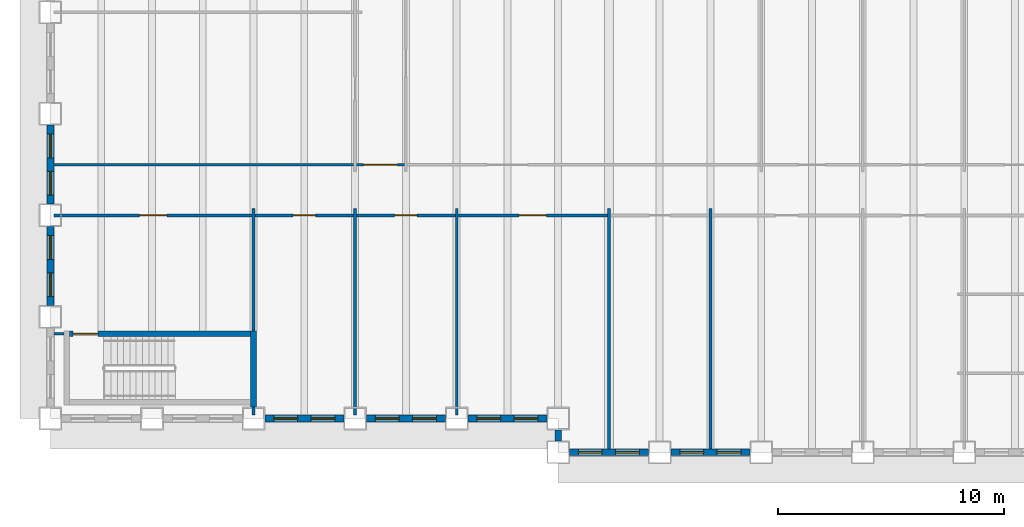
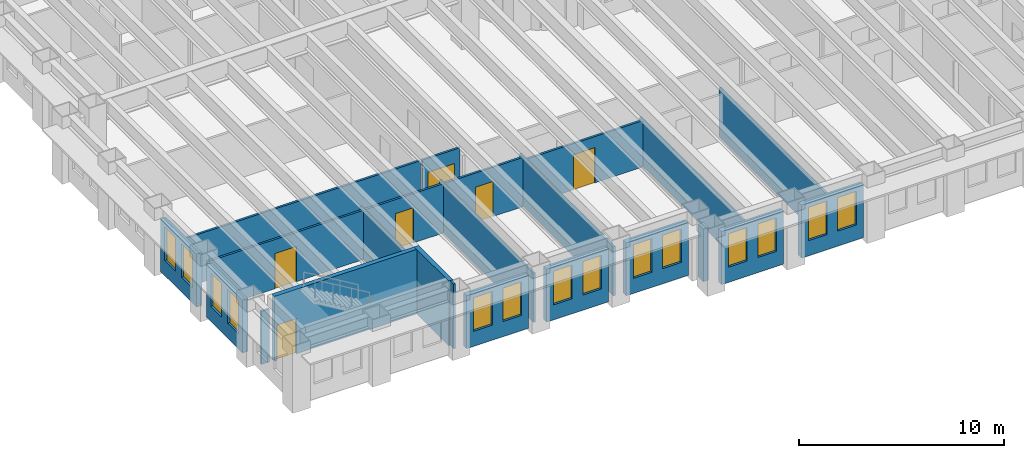
# One storey, part 3 of 16: 23 walls, 14 windows, 6 doors, 20 openings.
"""IFC4 building model written with IfcOpenShell, lengths in metres."""

from ifc_helpers import new_model, si_unit, direction, frame, frame_2d, origin, place, context, subcontext, project, spatial, rectangle, extrude, material, layer, layer_set, type_object, element, fill, save


model = new_model("IFC4")

# Units and contexts
model_context = context("Model", 3, precision=1e-05, world=origin(), true_north=direction((0.0, 1.0)))
body_context = subcontext(model_context, "Body", "Model", "MODEL_VIEW")
ifc_project = project(units=[si_unit("LENGTHUNIT", "METRE"), si_unit("AREAUNIT", "SQUARE_METRE"), si_unit("VOLUMEUNIT", "CUBIC_METRE"), si_unit("PLANEANGLEUNIT", "RADIAN"), si_unit("MASSUNIT", "GRAM", prefix="KILO")], contexts=[model_context])

# Site, building, storey
site_placement = place(None, origin())
site = spatial("IfcSite", under=ifc_project, at=site_placement, CompositionType="ELEMENT")
building_placement = place(site_placement, origin())
building = spatial("IfcBuilding", under=site, at=building_placement, Name="Sennacour Bend Tower", CompositionType="ELEMENT")
storey_placement = place(building_placement, frame((0.0, 0.0, 115.0)))
storey = spatial("IfcBuildingStorey", under=building, at=storey_placement, Name="L26", CompositionType="ELEMENT", Elevation=115.0)

# Walls
ifc_material_1 = material(Name="Plasterboard partition on steel studs", Category="steel")
ifc_layer_1 = layer(ifc_material_1, 0.1201171875, Name="Plasterboard partition on steel studs", Category="steel")
ifc_layer_set_1 = layer_set([ifc_layer_1], Name="Plasterboard partition on steel studs")
wall_type_1 = type_object("IfcWallType", Name="Partition 120", PredefinedType="PARTITIONING", material=ifc_layer_set_1)
wall_1_placement = place(storey_placement, frame((9.0, 0.14990234375, 0.0), z_axis=(0.0, 0.0, 1.0), x_axis=(0.0, 1.0, 0.0)))
element("IfcWall", 1, at=wall_1_placement, inside=storey, type_object=wall_type_1, Name="P-L26-W008a", PredefinedType="PARTITIONING", context=body_context, shape_type="SweptSolid", body=[
    extrude(rectangle(XDim=0.35009765625, YDim=0.1201171875, at=frame_2d((0.175048828125, 0.0))), origin(), (0.0, 0.0, 1.0), 3.85009765625),
])
wall_2_placement = place(storey_placement, frame((9.0, 3.875, 0.0), z_axis=(0.0, 0.0, 1.0), x_axis=(0.0, 1.0, 0.0)))
element("IfcWall", 2, at=wall_2_placement, inside=storey, type_object=wall_type_1, Name="P-L26-W010a", PredefinedType="PARTITIONING", context=body_context, shape_type="SweptSolid", body=[
    extrude(rectangle(XDim=5.425048828125, YDim=0.1201171875, at=frame_2d((2.71240234375, 0.0))), origin(), (0.0, 0.0, 1.0), 2.93798828125),
])
for number, where, z_axis, x_axis, name in (
    (3, (13.5, 0.14990234375, 0.0), (0.0, 0.0, 1.0), (0.0, 1.0, 0.0), "P-L26-W014a"),
    (4, (18.0, 0.14990234375, 0.0), (0.0, 0.0, 1.0), (0.0, 1.0, 0.0), "P-L26-W020a"),
):
    element("IfcWall", number, at=place(storey_placement, frame(where, z_axis=z_axis, x_axis=x_axis)), inside=storey, type_object=wall_type_1, Name=name, PredefinedType="PARTITIONING", context=body_context, shape_type="SweptSolid", body=[
        extrude(rectangle(XDim=9.150146484375, YDim=0.1201171875, at=frame_2d((4.5751953125, 0.0))), origin(), (0.0, 0.0, 1.0), 2.93798828125),
    ])
wall_3_placement = place(storey_placement, frame((24.75, -1.35009765625, 0.0), z_axis=(0.0, 0.0, 1.0), x_axis=(0.0, 1.0, 0.0)))
element("IfcWall", 5, at=wall_3_placement, inside=storey, type_object=wall_type_1, Name="P-L26-W026a", PredefinedType="PARTITIONING", context=body_context, shape_type="SweptSolid", body=[
    extrude(rectangle(XDim=10.650146484375, YDim=0.1201171875, at=frame_2d((5.3251953125, 0.0))), origin(), (0.0, 0.0, 1.0), 2.760009765625),
])
wall_4_placement = place(storey_placement, frame((29.25, -1.35009765625, 0.0), z_axis=(0.0, 0.0, 1.0), x_axis=(0.0, 1.0, 0.0)))
element("IfcWall", 6, at=wall_4_placement, inside=storey, type_object=wall_type_1, Name="P-L26-W027a", PredefinedType="PARTITIONING", context=body_context, shape_type="SweptSolid", body=[
    extrude(rectangle(XDim=10.650146484375, YDim=0.1201171875, at=frame_2d((5.3251953125, 0.0))), origin(), (0.0, 0.0, 1.0), 2.93798828125),
])
wall_5_placement = place(storey_placement, frame((0.14990234375, 3.75, 0.0), z_axis=(0.0, 0.0, 1.0), x_axis=(1.0, 0.0, 0.0)))
element("IfcWall", 7, at=wall_5_placement, inside=storey, type_object=wall_type_1, Name="P-L26-W049a", PredefinedType="PARTITIONING", context=body_context, shape_type="SweptSolid", body=[
    extrude(rectangle(XDim=0.4501953125, YDim=0.1201171875, at=frame_2d((0.22509765625, 0.0))), origin(), (0.0, 0.0, 1.0), 3.154052734375),
])

# Wall, opening, door
wall_6_placement = place(storey_placement, frame((9.06005859375, 9.0, 0.0), z_axis=(0.0, 0.0, 1.0), x_axis=(1.0, 0.0, 0.0)))
wall_6 = element("IfcWall", 8, at=wall_6_placement, inside=storey, type_object=wall_type_1, Name="P-L26-W055ab", PredefinedType="PARTITIONING", context=body_context, shape_type="SweptSolid", body=[
    extrude(rectangle(XDim=4.3798828125, YDim=0.1201171875, at=frame_2d((2.18994140625, 0.0))), origin(), (0.0, 0.0, 1.0), 2.93798828125),
])
opening_1_placement = place(wall_6_placement, frame((1.68994140625, 0.0, 0.0)))
opening_1 = element("IfcOpeningElement", 9, at=opening_1_placement, cuts=wall_6, Name="Opening OD2", PredefinedType="OPENING", context=body_context, shape_type="SweptSolid", body=[
    extrude(rectangle(XDim=1.0, YDim=2.10009765625, at=frame_2d((0.5, 1.050048828125))), frame((0.0, 0.070068359375, 0.0), z_axis=(0.0, -1.0, 0.0), x_axis=(1.0, 0.0, 0.0)), (0.0, 0.0, 1.0), 0.14013671875),
])
ifc_material_2 = material(Name="Timber", Category="wood")
door_type_1 = type_object("IfcDoorType", Name="DR-OFFICE-1000", OperationType="NOTDEFINED", PredefinedType="DOOR", material=ifc_material_2)
door_1_placement = place(opening_1_placement, origin())
door_1 = element("IfcDoor", 10, at=door_1_placement, inside=storey, type_object=door_type_1, Name="Door", OperationType="SINGLE_SWING_LEFT", OverallHeight=2.10009765625, OverallWidth=1.0, PredefinedType="DOOR", context=body_context, shape_type="SweptSolid", body=[
    extrude(rectangle(XDim=1.0, YDim=2.10009765625, at=frame_2d((0.5, 1.050048828125))), frame((0.0, 0.02490234375, 0.0), z_axis=(0.0, -1.0, 0.0), x_axis=(1.0, 0.0, 0.0)), (0.0, 0.0, 1.0), 0.050048828125),
])
fill(opening_1, door_1)

wall_7_placement = place(storey_placement, frame((13.56005859375, 9.0, 0.0), z_axis=(0.0, 0.0, 1.0), x_axis=(1.0, 0.0, 0.0)))
wall_7 = element("IfcWall", 11, at=wall_7_placement, inside=storey, type_object=wall_type_1, Name="P-L26-W055ac", PredefinedType="PARTITIONING", context=body_context, shape_type="SweptSolid", body=[
    extrude(rectangle(XDim=4.3798828125, YDim=0.1201171875, at=frame_2d((2.18994140625, 0.0))), origin(), (0.0, 0.0, 1.0), 2.93798828125),
])
opening_2_placement = place(wall_7_placement, frame((1.68994140625, 0.0, 0.0)))
opening_2 = element("IfcOpeningElement", 12, at=opening_2_placement, cuts=wall_7, Name="Opening OD2", PredefinedType="OPENING", context=body_context, shape_type="SweptSolid", body=[
    extrude(rectangle(XDim=1.0, YDim=2.10009765625, at=frame_2d((0.5, 1.050048828125))), frame((0.0, 0.070068359375, 0.0), z_axis=(0.0, -1.0, 0.0), x_axis=(1.0, 0.0, 0.0)), (0.0, 0.0, 1.0), 0.14013671875),
])
door_2_placement = place(opening_2_placement, origin())
door_2 = element("IfcDoor", 13, at=door_2_placement, inside=storey, type_object=door_type_1, Name="Door", OperationType="SINGLE_SWING_LEFT", OverallHeight=2.10009765625, OverallWidth=1.0, PredefinedType="DOOR", context=body_context, shape_type="SweptSolid", body=[
    extrude(rectangle(XDim=1.0, YDim=2.10009765625, at=frame_2d((0.5, 1.050048828125))), frame((0.0, 0.02490234375, 0.0), z_axis=(0.0, -1.0, 0.0), x_axis=(1.0, 0.0, 0.0)), (0.0, 0.0, 1.0), 0.050048828125),
])
fill(opening_2, door_2)

wall_8_placement = place(storey_placement, frame((18.06005859375, 9.0, 0.0), z_axis=(0.0, 0.0, 1.0), x_axis=(1.0, 0.0, 0.0)))
wall_8 = element("IfcWall", 14, at=wall_8_placement, inside=storey, type_object=wall_type_1, Name="P-L26-W055ad", PredefinedType="PARTITIONING", context=body_context, shape_type="SweptSolid", body=[
    extrude(rectangle(XDim=6.6298828125, YDim=0.1201171875, at=frame_2d((3.31494140625, 0.0))), origin(), (0.0, 0.0, 1.0), 2.760009765625),
])
opening_3_placement = place(wall_8_placement, frame((2.71484375, 0.0, 0.0)))
opening_3 = element("IfcOpeningElement", 15, at=opening_3_placement, cuts=wall_8, Name="Opening OD", PredefinedType="OPENING", context=body_context, shape_type="SweptSolid", body=[
    extrude(rectangle(XDim=1.199951171875, YDim=2.10009765625, at=frame_2d((0.60009765625, 1.050048828125))), frame((0.0, 0.070068359375, 0.0), z_axis=(0.0, -1.0, 0.0), x_axis=(1.0, 0.0, 0.0)), (0.0, 0.0, 1.0), 0.14013671875),
])
door_type_2 = type_object("IfcDoorType", Name="DR-OFFICE-1200", OperationType="NOTDEFINED", PredefinedType="DOOR", material=ifc_material_2)
door_3_placement = place(opening_3_placement, origin())
door_3 = element("IfcDoor", 16, at=door_3_placement, inside=storey, type_object=door_type_2, Name="Door", OperationType="SINGLE_SWING_LEFT", OverallHeight=2.10009765625, OverallWidth=1.199951171875, PredefinedType="DOOR", context=body_context, shape_type="SweptSolid", body=[
    extrude(rectangle(XDim=1.199951171875, YDim=2.10009765625, at=frame_2d((0.60009765625, 1.050048828125))), frame((0.0, 0.02490234375, 0.0), z_axis=(0.0, -1.0, 0.0), x_axis=(1.0, 0.0, 0.0)), (0.0, 0.0, 1.0), 0.050048828125),
])
fill(opening_3, door_3)

# Wall
wall_9_placement = place(storey_placement, frame((0.14990234375, 11.25, 0.0), z_axis=(0.0, 0.0, 1.0), x_axis=(1.0, 0.0, 0.0)))
element("IfcWall", 17, at=wall_9_placement, inside=storey, type_object=wall_type_1, Name="P-L26-W057aa", PredefinedType="PARTITIONING", context=body_context, shape_type="SweptSolid", body=[
    extrude(rectangle(XDim=13.2900390625, YDim=0.1201171875, at=frame_2d((6.64501953125, 0.0))), origin(), (0.0, 0.0, 1.0), 2.93798828125),
])

# Wall, opening, door
ifc_layer_2 = layer(ifc_material_1, 0.1201171875, Name="Plasterboard partition on steel studs", Category="steel")
ifc_layer_set_2 = layer_set([ifc_layer_2], Name="Plasterboard partition on steel studs")
wall_type_2 = type_object("IfcWallType", Name="Partition 120 EI 30", PredefinedType="PARTITIONING", material=ifc_layer_set_2)
wall_10_placement = place(storey_placement, frame((0.14990234375, 9.0, 0.0), z_axis=(0.0, 0.0, 1.0), x_axis=(1.0, 0.0, 0.0)))
wall_10 = element("IfcWall", 18, at=wall_10_placement, inside=storey, type_object=wall_type_2, Name="P-L26-W055aa", PredefinedType="PARTITIONING", context=body_context, shape_type="SweptSolid", body=[
    extrude(rectangle(XDim=8.7900390625, YDim=0.1201171875, at=frame_2d((4.39501953125, 0.0))), origin(), (0.0, 0.0, 1.0), 2.93798828125),
])
opening_4_placement = place(wall_10_placement, frame((3.80517578125, 0.0, 0.0)))
opening_4 = element("IfcOpeningElement", 19, at=opening_4_placement, cuts=wall_10, Name="Opening KD2", PredefinedType="OPENING", context=body_context, shape_type="SweptSolid", body=[
    extrude(rectangle(XDim=1.199951171875, YDim=2.10009765625, at=frame_2d((0.60009765625, 1.050048828125))), frame((0.0, 0.070068359375, 0.0), z_axis=(0.0, -1.0, 0.0), x_axis=(1.0, 0.0, 0.0)), (0.0, 0.0, 1.0), 0.14013671875),
])
ifc_material_3 = material(Name="Painted steel", Category="steel")
door_type_3 = type_object("IfcDoorType", Name="DR-CORRIDOR-1200", OperationType="NOTDEFINED", PredefinedType="DOOR", material=ifc_material_3)
door_4_placement = place(opening_4_placement, origin())
door_4 = element("IfcDoor", 20, at=door_4_placement, inside=storey, type_object=door_type_3, Name="Door", OperationType="SINGLE_SWING_LEFT", OverallHeight=2.10009765625, OverallWidth=1.199951171875, PredefinedType="DOOR", context=body_context, shape_type="SweptSolid", body=[
    extrude(rectangle(XDim=1.199951171875, YDim=2.10009765625, at=frame_2d((0.60009765625, 1.050048828125))), frame((0.0, 0.02490234375, 0.0), z_axis=(0.0, -1.0, 0.0), x_axis=(1.0, 0.0, 0.0)), (0.0, 0.0, 1.0), 0.050048828125),
])
fill(opening_4, door_4)

wall_11_placement = place(storey_placement, frame((13.56005859375, 11.25, 0.0), z_axis=(0.0, 0.0, 1.0), x_axis=(1.0, 0.0, 0.0)))
wall_11 = element("IfcWall", 21, at=wall_11_placement, inside=storey, type_object=wall_type_2, Name="P-L26-W057ab", PredefinedType="PARTITIONING", context=body_context, shape_type="SweptSolid", body=[
    extrude(rectangle(XDim=2.1298828125, YDim=0.1201171875, at=frame_2d((1.06494140625, 0.0))), origin(), (0.0, 0.0, 1.0), 2.93798828125),
])
opening_5_placement = place(wall_11_placement, frame((0.31494140625, 0.0, 0.0)))
opening_5 = element("IfcOpeningElement", 22, at=opening_5_placement, cuts=wall_11, Name="Opening KD", PredefinedType="OPENING", context=body_context, shape_type="SweptSolid", body=[
    extrude(rectangle(XDim=1.5, YDim=2.10009765625, at=frame_2d((0.75, 1.050048828125))), frame((0.0, 0.070068359375, 0.0), z_axis=(0.0, -1.0, 0.0), x_axis=(1.0, 0.0, 0.0)), (0.0, 0.0, 1.0), 0.14013671875),
])
door_type_4 = type_object("IfcDoorType", Name="DR-CORRIDOR-1500", OperationType="NOTDEFINED", PredefinedType="DOOR", material=ifc_material_3)
door_5_placement = place(opening_5_placement, origin())
door_5 = element("IfcDoor", 23, at=door_5_placement, inside=storey, type_object=door_type_4, Name="Door", OperationType="SINGLE_SWING_LEFT", OverallHeight=2.10009765625, OverallWidth=1.5, PredefinedType="DOOR", context=body_context, shape_type="SweptSolid", body=[
    extrude(rectangle(XDim=1.5, YDim=2.10009765625, at=frame_2d((0.75, 1.050048828125))), frame((0.0, 0.02490234375, 0.0), z_axis=(0.0, -1.0, 0.0), x_axis=(1.0, 0.0, 0.0)), (0.0, 0.0, 1.0), 0.050048828125),
])
fill(opening_5, door_5)

# Wall, openings, windows
ifc_material_4 = material(Name="Warm limestone cladding", Category="masonry")
ifc_layer_3 = layer(ifc_material_4, 0.050048828125, Name="Warm limestone cladding", Category="masonry")
ifc_material_5 = material(Name="Precast concrete C40/50", Category="concrete")
ifc_layer_4 = layer(ifc_material_5, 0.25, Name="Precast concrete C40/50", Category="concrete")
ifc_layer_set_3 = layer_set([ifc_layer_3, ifc_layer_4], Name="Precast concrete C40/50 with limestone cladding")
wall_type_3 = type_object("IfcWallType", Name="STONE-CLAD PRECAST SPANDREL 300", PredefinedType="STANDARD", material=ifc_layer_set_3)
wall_12_placement = place(storey_placement, frame((23.0, -1.5, 0.0), z_axis=(0.0, 0.0, 1.0), x_axis=(1.0, 0.0, 0.0)))
wall_12 = element("IfcWall", 24, at=wall_12_placement, inside=storey, type_object=wall_type_3, Name="Stone spandrel and pier wall L26 00.00", PredefinedType="STANDARD", context=body_context, shape_type="SweptSolid", body=[
    extrude(rectangle(XDim=3.5, YDim=0.300048828125, at=frame_2d((1.75, 0.0))), origin(), (0.0, 0.0, 1.0), 3.154052734375),
])
opening_6_placement = place(wall_12_placement, frame((0.39990234375, 0.0, 0.89990234375)))
opening_6 = element("IfcOpeningElement", 25, at=opening_6_placement, cuts=wall_12, Name="Opening W13", PredefinedType="OPENING", context=body_context, shape_type="SweptSolid", body=[
    extrude(rectangle(XDim=1.050048828125, YDim=2.0, at=frame_2d((0.52490234375, 1.0))), frame((0.0, 0.16015625, 0.0), z_axis=(0.0, -1.0, 0.0), x_axis=(1.0, 0.0, 0.0)), (0.0, 0.0, 1.0), 0.320068359375),
])
opening_7_placement = place(wall_12_placement, frame((2.050048828125, 0.0, 0.89990234375)))
opening_7 = element("IfcOpeningElement", 26, at=opening_7_placement, cuts=wall_12, Name="Opening W13", PredefinedType="OPENING", context=body_context, shape_type="SweptSolid", body=[
    extrude(rectangle(XDim=1.050048828125, YDim=2.0, at=frame_2d((0.52490234375, 1.0))), frame((0.0, 0.16015625, 0.0), z_axis=(0.0, -1.0, 0.0), x_axis=(1.0, 0.0, 0.0)), (0.0, 0.0, 1.0), 0.320068359375),
])
ifc_material_6 = material(Name="Clear low-emissivity glass", Category="glass")
window_type = type_object("IfcWindowType", Name="WIN-RIBBON-1050x2000", PartitioningType="SINGLE_PANEL", PredefinedType="WINDOW", material=ifc_material_6)
window_1_placement = place(opening_6_placement, origin())
window_1 = element("IfcWindow", 27, at=window_1_placement, inside=storey, type_object=window_type, Name="Ribbon window L26 00.00.0", OverallHeight=2.0, OverallWidth=1.050048828125, PartitioningType="SINGLE_PANEL", PredefinedType="WINDOW", context=body_context, shape_type="SweptSolid", body=[
    extrude(rectangle(XDim=1.050048828125, YDim=2.0, at=frame_2d((0.52490234375, 1.0))), frame((0.0, 0.030029296875, 0.0), z_axis=(0.0, -1.0, 0.0), x_axis=(1.0, 0.0, 0.0)), (0.0, 0.0, 1.0), 0.06005859375),
])
fill(opening_6, window_1)
window_2_placement = place(opening_7_placement, origin())
window_2 = element("IfcWindow", 28, at=window_2_placement, inside=storey, type_object=window_type, Name="Ribbon window L26 00.00.1", OverallHeight=2.0, OverallWidth=1.050048828125, PartitioningType="SINGLE_PANEL", PredefinedType="WINDOW", context=body_context, shape_type="SweptSolid", body=[
    extrude(rectangle(XDim=1.050048828125, YDim=2.0, at=frame_2d((0.52490234375, 1.0))), frame((0.0, 0.030029296875, 0.0), z_axis=(0.0, -1.0, 0.0), x_axis=(1.0, 0.0, 0.0)), (0.0, 0.0, 1.0), 0.06005859375),
])
fill(opening_7, window_2)

wall_13_placement = place(storey_placement, frame((27.5, -1.5, 0.0), z_axis=(0.0, 0.0, 1.0), x_axis=(1.0, 0.0, 0.0)))
wall_13 = element("IfcWall", 29, at=wall_13_placement, inside=storey, type_object=wall_type_3, Name="Stone spandrel and pier wall L26 00.01", PredefinedType="STANDARD", context=body_context, shape_type="SweptSolid", body=[
    extrude(rectangle(XDim=3.5, YDim=0.300048828125, at=frame_2d((1.75, 0.0))), origin(), (0.0, 0.0, 1.0), 3.154052734375),
])
opening_8_placement = place(wall_13_placement, frame((0.39990234375, 0.0, 0.89990234375)))
opening_8 = element("IfcOpeningElement", 30, at=opening_8_placement, cuts=wall_13, Name="Opening W13", PredefinedType="OPENING", context=body_context, shape_type="SweptSolid", body=[
    extrude(rectangle(XDim=1.050048828125, YDim=2.0, at=frame_2d((0.52490234375, 1.0))), frame((0.0, 0.16015625, 0.0), z_axis=(0.0, -1.0, 0.0), x_axis=(1.0, 0.0, 0.0)), (0.0, 0.0, 1.0), 0.320068359375),
])
opening_9_placement = place(wall_13_placement, frame((2.050048828125, 0.0, 0.89990234375)))
opening_9 = element("IfcOpeningElement", 31, at=opening_9_placement, cuts=wall_13, Name="Opening W13", PredefinedType="OPENING", context=body_context, shape_type="SweptSolid", body=[
    extrude(rectangle(XDim=1.050048828125, YDim=2.0, at=frame_2d((0.52490234375, 1.0))), frame((0.0, 0.16015625, 0.0), z_axis=(0.0, -1.0, 0.0), x_axis=(1.0, 0.0, 0.0)), (0.0, 0.0, 1.0), 0.320068359375),
])
window_3_placement = place(opening_8_placement, origin())
window_3 = element("IfcWindow", 32, at=window_3_placement, inside=storey, type_object=window_type, Name="Ribbon window L26 00.01.0", OverallHeight=2.0, OverallWidth=1.050048828125, PartitioningType="SINGLE_PANEL", PredefinedType="WINDOW", context=body_context, shape_type="SweptSolid", body=[
    extrude(rectangle(XDim=1.050048828125, YDim=2.0, at=frame_2d((0.52490234375, 1.0))), frame((0.0, 0.030029296875, 0.0), z_axis=(0.0, -1.0, 0.0), x_axis=(1.0, 0.0, 0.0)), (0.0, 0.0, 1.0), 0.06005859375),
])
fill(opening_8, window_3)
window_4_placement = place(opening_9_placement, origin())
window_4 = element("IfcWindow", 33, at=window_4_placement, inside=storey, type_object=window_type, Name="Ribbon window L26 00.01.1", OverallHeight=2.0, OverallWidth=1.050048828125, PartitioningType="SINGLE_PANEL", PredefinedType="WINDOW", context=body_context, shape_type="SweptSolid", body=[
    extrude(rectangle(XDim=1.050048828125, YDim=2.0, at=frame_2d((0.52490234375, 1.0))), frame((0.0, 0.030029296875, 0.0), z_axis=(0.0, -1.0, 0.0), x_axis=(1.0, 0.0, 0.0)), (0.0, 0.0, 1.0), 0.06005859375),
])
fill(opening_9, window_4)

wall_14_placement = place(storey_placement, frame((0.0, 13.0, 0.0), z_axis=(0.0, 0.0, 1.0), x_axis=(0.0, -1.0, 0.0)))
wall_14 = element("IfcWall", 34, at=wall_14_placement, inside=storey, type_object=wall_type_3, Name="Stone spandrel and pier wall L26 21.02", PredefinedType="STANDARD", context=body_context, shape_type="SweptSolid", body=[
    extrude(rectangle(XDim=3.5, YDim=0.300048828125, at=frame_2d((1.75, 0.0))), origin(), (0.0, 0.0, 1.0), 3.154052734375),
])
opening_10_placement = place(wall_14_placement, frame((0.39990234375, 0.0, 0.89990234375)))
opening_10 = element("IfcOpeningElement", 35, at=opening_10_placement, cuts=wall_14, Name="Opening W13", PredefinedType="OPENING", context=body_context, shape_type="SweptSolid", body=[
    extrude(rectangle(XDim=1.050048828125, YDim=2.0, at=frame_2d((0.52490234375, 1.0))), frame((0.0, 0.16015625, 0.0), z_axis=(0.0, -1.0, 0.0), x_axis=(1.0, 0.0, 0.0)), (0.0, 0.0, 1.0), 0.320068359375),
])
opening_11_placement = place(wall_14_placement, frame((2.050048828125, 0.0, 0.89990234375)))
opening_11 = element("IfcOpeningElement", 36, at=opening_11_placement, cuts=wall_14, Name="Opening W13", PredefinedType="OPENING", context=body_context, shape_type="SweptSolid", body=[
    extrude(rectangle(XDim=1.050048828125, YDim=2.0, at=frame_2d((0.52490234375, 1.0))), frame((0.0, 0.16015625, 0.0), z_axis=(0.0, -1.0, 0.0), x_axis=(1.0, 0.0, 0.0)), (0.0, 0.0, 1.0), 0.320068359375),
])
window_5_placement = place(opening_10_placement, origin())
window_5 = element("IfcWindow", 37, at=window_5_placement, inside=storey, type_object=window_type, Name="Ribbon window L26 21.02.0", OverallHeight=2.0, OverallWidth=1.050048828125, PartitioningType="SINGLE_PANEL", PredefinedType="WINDOW", context=body_context, shape_type="SweptSolid", body=[
    extrude(rectangle(XDim=1.050048828125, YDim=2.0, at=frame_2d((0.52490234375, 1.0))), frame((0.0, 0.030029296875, 0.0), z_axis=(0.0, -1.0, 0.0), x_axis=(1.0, 0.0, 0.0)), (0.0, 0.0, 1.0), 0.06005859375),
])
fill(opening_10, window_5)
window_6_placement = place(opening_11_placement, origin())
window_6 = element("IfcWindow", 38, at=window_6_placement, inside=storey, type_object=window_type, Name="Ribbon window L26 21.02.1", OverallHeight=2.0, OverallWidth=1.050048828125, PartitioningType="SINGLE_PANEL", PredefinedType="WINDOW", context=body_context, shape_type="SweptSolid", body=[
    extrude(rectangle(XDim=1.050048828125, YDim=2.0, at=frame_2d((0.52490234375, 1.0))), frame((0.0, 0.030029296875, 0.0), z_axis=(0.0, -1.0, 0.0), x_axis=(1.0, 0.0, 0.0)), (0.0, 0.0, 1.0), 0.06005859375),
])
fill(opening_11, window_6)

wall_15_placement = place(storey_placement, frame((0.0, 8.5, 0.0), z_axis=(0.0, 0.0, 1.0), x_axis=(0.0, -1.0, 0.0)))
wall_15 = element("IfcWall", 39, at=wall_15_placement, inside=storey, type_object=wall_type_3, Name="Stone spandrel and pier wall L26 21.03", PredefinedType="STANDARD", context=body_context, shape_type="SweptSolid", body=[
    extrude(rectangle(XDim=3.5, YDim=0.300048828125, at=frame_2d((1.75, 0.0))), origin(), (0.0, 0.0, 1.0), 3.154052734375),
])
opening_12_placement = place(wall_15_placement, frame((0.39990234375, 0.0, 0.89990234375)))
opening_12 = element("IfcOpeningElement", 40, at=opening_12_placement, cuts=wall_15, Name="Opening W13", PredefinedType="OPENING", context=body_context, shape_type="SweptSolid", body=[
    extrude(rectangle(XDim=1.050048828125, YDim=2.0, at=frame_2d((0.52490234375, 1.0))), frame((0.0, 0.16015625, 0.0), z_axis=(0.0, -1.0, 0.0), x_axis=(1.0, 0.0, 0.0)), (0.0, 0.0, 1.0), 0.320068359375),
])
opening_13_placement = place(wall_15_placement, frame((2.050048828125, 0.0, 0.89990234375)))
opening_13 = element("IfcOpeningElement", 41, at=opening_13_placement, cuts=wall_15, Name="Opening W13", PredefinedType="OPENING", context=body_context, shape_type="SweptSolid", body=[
    extrude(rectangle(XDim=1.050048828125, YDim=2.0, at=frame_2d((0.52490234375, 1.0))), frame((0.0, 0.16015625, 0.0), z_axis=(0.0, -1.0, 0.0), x_axis=(1.0, 0.0, 0.0)), (0.0, 0.0, 1.0), 0.320068359375),
])
window_7_placement = place(opening_12_placement, origin())
window_7 = element("IfcWindow", 42, at=window_7_placement, inside=storey, type_object=window_type, Name="Ribbon window L26 21.03.0", OverallHeight=2.0, OverallWidth=1.050048828125, PartitioningType="SINGLE_PANEL", PredefinedType="WINDOW", context=body_context, shape_type="SweptSolid", body=[
    extrude(rectangle(XDim=1.050048828125, YDim=2.0, at=frame_2d((0.52490234375, 1.0))), frame((0.0, 0.030029296875, 0.0), z_axis=(0.0, -1.0, 0.0), x_axis=(1.0, 0.0, 0.0)), (0.0, 0.0, 1.0), 0.06005859375),
])
fill(opening_12, window_7)
window_8_placement = place(opening_13_placement, origin())
window_8 = element("IfcWindow", 43, at=window_8_placement, inside=storey, type_object=window_type, Name="Ribbon window L26 21.03.1", OverallHeight=2.0, OverallWidth=1.050048828125, PartitioningType="SINGLE_PANEL", PredefinedType="WINDOW", context=body_context, shape_type="SweptSolid", body=[
    extrude(rectangle(XDim=1.050048828125, YDim=2.0, at=frame_2d((0.52490234375, 1.0))), frame((0.0, 0.030029296875, 0.0), z_axis=(0.0, -1.0, 0.0), x_axis=(1.0, 0.0, 0.0)), (0.0, 0.0, 1.0), 0.06005859375),
])
fill(opening_13, window_8)

wall_16_placement = place(storey_placement, frame((9.5, 0.0, 0.0), z_axis=(0.0, 0.0, 1.0), x_axis=(1.0, 0.0, 0.0)))
wall_16 = element("IfcWall", 44, at=wall_16_placement, inside=storey, type_object=wall_type_3, Name="Stone spandrel and pier wall L26 22.02", PredefinedType="STANDARD", context=body_context, shape_type="SweptSolid", body=[
    extrude(rectangle(XDim=3.5, YDim=0.300048828125, at=frame_2d((1.75, 0.0))), origin(), (0.0, 0.0, 1.0), 3.154052734375),
])
opening_14_placement = place(wall_16_placement, frame((0.39990234375, 0.0, 0.89990234375)))
opening_14 = element("IfcOpeningElement", 45, at=opening_14_placement, cuts=wall_16, Name="Opening W13", PredefinedType="OPENING", context=body_context, shape_type="SweptSolid", body=[
    extrude(rectangle(XDim=1.050048828125, YDim=2.0, at=frame_2d((0.52490234375, 1.0))), frame((0.0, 0.16015625, 0.0), z_axis=(0.0, -1.0, 0.0), x_axis=(1.0, 0.0, 0.0)), (0.0, 0.0, 1.0), 0.320068359375),
])
opening_15_placement = place(wall_16_placement, frame((2.050048828125, 0.0, 0.89990234375)))
opening_15 = element("IfcOpeningElement", 46, at=opening_15_placement, cuts=wall_16, Name="Opening W13", PredefinedType="OPENING", context=body_context, shape_type="SweptSolid", body=[
    extrude(rectangle(XDim=1.050048828125, YDim=2.0, at=frame_2d((0.52490234375, 1.0))), frame((0.0, 0.16015625, 0.0), z_axis=(0.0, -1.0, 0.0), x_axis=(1.0, 0.0, 0.0)), (0.0, 0.0, 1.0), 0.320068359375),
])
window_9_placement = place(opening_14_placement, origin())
window_9 = element("IfcWindow", 47, at=window_9_placement, inside=storey, type_object=window_type, Name="Ribbon window L26 22.02.0", OverallHeight=2.0, OverallWidth=1.050048828125, PartitioningType="SINGLE_PANEL", PredefinedType="WINDOW", context=body_context, shape_type="SweptSolid", body=[
    extrude(rectangle(XDim=1.050048828125, YDim=2.0, at=frame_2d((0.52490234375, 1.0))), frame((0.0, 0.030029296875, 0.0), z_axis=(0.0, -1.0, 0.0), x_axis=(1.0, 0.0, 0.0)), (0.0, 0.0, 1.0), 0.06005859375),
])
fill(opening_14, window_9)
window_10_placement = place(opening_15_placement, origin())
window_10 = element("IfcWindow", 48, at=window_10_placement, inside=storey, type_object=window_type, Name="Ribbon window L26 22.02.1", OverallHeight=2.0, OverallWidth=1.050048828125, PartitioningType="SINGLE_PANEL", PredefinedType="WINDOW", context=body_context, shape_type="SweptSolid", body=[
    extrude(rectangle(XDim=1.050048828125, YDim=2.0, at=frame_2d((0.52490234375, 1.0))), frame((0.0, 0.030029296875, 0.0), z_axis=(0.0, -1.0, 0.0), x_axis=(1.0, 0.0, 0.0)), (0.0, 0.0, 1.0), 0.06005859375),
])
fill(opening_15, window_10)

wall_17_placement = place(storey_placement, frame((14.0, 0.0, 0.0), z_axis=(0.0, 0.0, 1.0), x_axis=(1.0, 0.0, 0.0)))
wall_17 = element("IfcWall", 49, at=wall_17_placement, inside=storey, type_object=wall_type_3, Name="Stone spandrel and pier wall L26 22.03", PredefinedType="STANDARD", context=body_context, shape_type="SweptSolid", body=[
    extrude(rectangle(XDim=3.5, YDim=0.300048828125, at=frame_2d((1.75, 0.0))), origin(), (0.0, 0.0, 1.0), 3.154052734375),
])
opening_16_placement = place(wall_17_placement, frame((0.39990234375, 0.0, 0.89990234375)))
opening_16 = element("IfcOpeningElement", 50, at=opening_16_placement, cuts=wall_17, Name="Opening W13", PredefinedType="OPENING", context=body_context, shape_type="SweptSolid", body=[
    extrude(rectangle(XDim=1.050048828125, YDim=2.0, at=frame_2d((0.52490234375, 1.0))), frame((0.0, 0.16015625, 0.0), z_axis=(0.0, -1.0, 0.0), x_axis=(1.0, 0.0, 0.0)), (0.0, 0.0, 1.0), 0.320068359375),
])
opening_17_placement = place(wall_17_placement, frame((2.050048828125, 0.0, 0.89990234375)))
opening_17 = element("IfcOpeningElement", 51, at=opening_17_placement, cuts=wall_17, Name="Opening W13", PredefinedType="OPENING", context=body_context, shape_type="SweptSolid", body=[
    extrude(rectangle(XDim=1.050048828125, YDim=2.0, at=frame_2d((0.52490234375, 1.0))), frame((0.0, 0.16015625, 0.0), z_axis=(0.0, -1.0, 0.0), x_axis=(1.0, 0.0, 0.0)), (0.0, 0.0, 1.0), 0.320068359375),
])
window_11_placement = place(opening_16_placement, origin())
window_11 = element("IfcWindow", 52, at=window_11_placement, inside=storey, type_object=window_type, Name="Ribbon window L26 22.03.0", OverallHeight=2.0, OverallWidth=1.050048828125, PartitioningType="SINGLE_PANEL", PredefinedType="WINDOW", context=body_context, shape_type="SweptSolid", body=[
    extrude(rectangle(XDim=1.050048828125, YDim=2.0, at=frame_2d((0.52490234375, 1.0))), frame((0.0, 0.030029296875, 0.0), z_axis=(0.0, -1.0, 0.0), x_axis=(1.0, 0.0, 0.0)), (0.0, 0.0, 1.0), 0.06005859375),
])
fill(opening_16, window_11)
window_12_placement = place(opening_17_placement, origin())
window_12 = element("IfcWindow", 53, at=window_12_placement, inside=storey, type_object=window_type, Name="Ribbon window L26 22.03.1", OverallHeight=2.0, OverallWidth=1.050048828125, PartitioningType="SINGLE_PANEL", PredefinedType="WINDOW", context=body_context, shape_type="SweptSolid", body=[
    extrude(rectangle(XDim=1.050048828125, YDim=2.0, at=frame_2d((0.52490234375, 1.0))), frame((0.0, 0.030029296875, 0.0), z_axis=(0.0, -1.0, 0.0), x_axis=(1.0, 0.0, 0.0)), (0.0, 0.0, 1.0), 0.06005859375),
])
fill(opening_17, window_12)

wall_18_placement = place(storey_placement, frame((18.5, 0.0, 0.0), z_axis=(0.0, 0.0, 1.0), x_axis=(1.0, 0.0, 0.0)))
wall_18 = element("IfcWall", 54, at=wall_18_placement, inside=storey, type_object=wall_type_3, Name="Stone spandrel and pier wall L26 22.04", PredefinedType="STANDARD", context=body_context, shape_type="SweptSolid", body=[
    extrude(rectangle(XDim=3.5, YDim=0.300048828125, at=frame_2d((1.75, 0.0))), origin(), (0.0, 0.0, 1.0), 3.154052734375),
])
opening_18_placement = place(wall_18_placement, frame((0.39990234375, 0.0, 0.89990234375)))
opening_18 = element("IfcOpeningElement", 55, at=opening_18_placement, cuts=wall_18, Name="Opening W13", PredefinedType="OPENING", context=body_context, shape_type="SweptSolid", body=[
    extrude(rectangle(XDim=1.050048828125, YDim=2.0, at=frame_2d((0.52490234375, 1.0))), frame((0.0, 0.16015625, 0.0), z_axis=(0.0, -1.0, 0.0), x_axis=(1.0, 0.0, 0.0)), (0.0, 0.0, 1.0), 0.320068359375),
])
opening_19_placement = place(wall_18_placement, frame((2.050048828125, 0.0, 0.89990234375)))
opening_19 = element("IfcOpeningElement", 56, at=opening_19_placement, cuts=wall_18, Name="Opening W13", PredefinedType="OPENING", context=body_context, shape_type="SweptSolid", body=[
    extrude(rectangle(XDim=1.050048828125, YDim=2.0, at=frame_2d((0.52490234375, 1.0))), frame((0.0, 0.16015625, 0.0), z_axis=(0.0, -1.0, 0.0), x_axis=(1.0, 0.0, 0.0)), (0.0, 0.0, 1.0), 0.320068359375),
])
window_13_placement = place(opening_18_placement, origin())
window_13 = element("IfcWindow", 57, at=window_13_placement, inside=storey, type_object=window_type, Name="Ribbon window L26 22.04.0", OverallHeight=2.0, OverallWidth=1.050048828125, PartitioningType="SINGLE_PANEL", PredefinedType="WINDOW", context=body_context, shape_type="SweptSolid", body=[
    extrude(rectangle(XDim=1.050048828125, YDim=2.0, at=frame_2d((0.52490234375, 1.0))), frame((0.0, 0.030029296875, 0.0), z_axis=(0.0, -1.0, 0.0), x_axis=(1.0, 0.0, 0.0)), (0.0, 0.0, 1.0), 0.06005859375),
])
fill(opening_18, window_13)
window_14_placement = place(opening_19_placement, origin())
window_14 = element("IfcWindow", 58, at=window_14_placement, inside=storey, type_object=window_type, Name="Ribbon window L26 22.04.1", OverallHeight=2.0, OverallWidth=1.050048828125, PartitioningType="SINGLE_PANEL", PredefinedType="WINDOW", context=body_context, shape_type="SweptSolid", body=[
    extrude(rectangle(XDim=1.050048828125, YDim=2.0, at=frame_2d((0.52490234375, 1.0))), frame((0.0, 0.030029296875, 0.0), z_axis=(0.0, -1.0, 0.0), x_axis=(1.0, 0.0, 0.0)), (0.0, 0.0, 1.0), 0.06005859375),
])
fill(opening_19, window_14)

# Walls
wall_19_placement = place(storey_placement, frame((22.5, -0.5, 0.0), z_axis=(0.0, 0.0, 1.0), x_axis=(0.0, -1.0, 0.0)))
element("IfcWall", 59, at=wall_19_placement, inside=storey, type_object=wall_type_3, Name="Stone spandrel and pier wall L26 23.00", PredefinedType="STANDARD", context=body_context, shape_type="SweptSolid", body=[
    extrude(rectangle(XDim=0.5, YDim=0.300048828125, at=frame_2d((0.25, 0.0))), origin(), (0.0, 0.0, 1.0), 3.154052734375),
])
ifc_material_7 = material(Name="Concrete C60/75", Category="concrete")
ifc_layer_5 = layer(ifc_material_7, 0.25, Name="Concrete C60/75", Category="concrete")
ifc_layer_set_4 = layer_set([ifc_layer_5], Name="Concrete C60/75")
wall_type_4 = type_object("IfcWallType", Name="Stair wall 250", PredefinedType="SHEAR", material=ifc_layer_set_4)
wall_20_placement = place(storey_placement, frame((9.0, 0.5, 0.0), z_axis=(0.0, 0.0, 1.0), x_axis=(0.0, 1.0, 0.0)))
element("IfcWall", 60, at=wall_20_placement, inside=storey, type_object=wall_type_4, Name="P-L26-W009", PredefinedType="SHEAR", context=body_context, shape_type="SweptSolid", body=[
    extrude(rectangle(XDim=3.375, YDim=0.25, at=frame_2d((1.6875, 0.0))), origin(), (0.0, 0.0, 1.0), 3.85009765625),
])

# Wall, opening, door
wall_21_placement = place(storey_placement, frame((0.85009765625, 3.75, 0.0), z_axis=(0.0, 0.0, 1.0), x_axis=(1.0, 0.0, 0.0)))
wall_21 = element("IfcWall", 61, at=wall_21_placement, inside=storey, type_object=wall_type_4, Name="P-L26-W050", PredefinedType="SHEAR", context=body_context, shape_type="SweptSolid", body=[
    extrude(rectangle(XDim=8.02490234375, YDim=0.25, at=frame_2d((4.012451171875, 0.0))), origin(), (0.0, 0.0, 1.0), 3.85009765625),
])
opening_20_placement = place(wall_21_placement, frame((0.14990234375, 0.0, 0.0)))
opening_20 = element("IfcOpeningElement", 62, at=opening_20_placement, cuts=wall_21, Name="Opening SD", PredefinedType="OPENING", context=body_context, shape_type="SweptSolid", body=[
    extrude(rectangle(XDim=1.10009765625, YDim=2.10009765625, at=frame_2d((0.550048828125, 1.050048828125))), frame((0.0, 0.135009765625, 0.0), z_axis=(0.0, -1.0, 0.0), x_axis=(1.0, 0.0, 0.0)), (0.0, 0.0, 1.0), 0.27001953125),
])
door_type_5 = type_object("IfcDoorType", Name="DR-STAIR-1100", OperationType="NOTDEFINED", PredefinedType="DOOR", material=ifc_material_3)
door_6_placement = place(opening_20_placement, origin())
door_6 = element("IfcDoor", 63, at=door_6_placement, inside=storey, type_object=door_type_5, Name="Door", OperationType="SINGLE_SWING_LEFT", OverallHeight=2.10009765625, OverallWidth=1.10009765625, PredefinedType="DOOR", context=body_context, shape_type="SweptSolid", body=[
    extrude(rectangle(XDim=1.10009765625, YDim=2.10009765625, at=frame_2d((0.550048828125, 1.050048828125))), frame((0.0, 0.02490234375, 0.0), z_axis=(0.0, -1.0, 0.0), x_axis=(1.0, 0.0, 0.0)), (0.0, 0.0, 1.0), 0.050048828125),
])
fill(opening_20, door_6)

save(model, "model.ifc")
